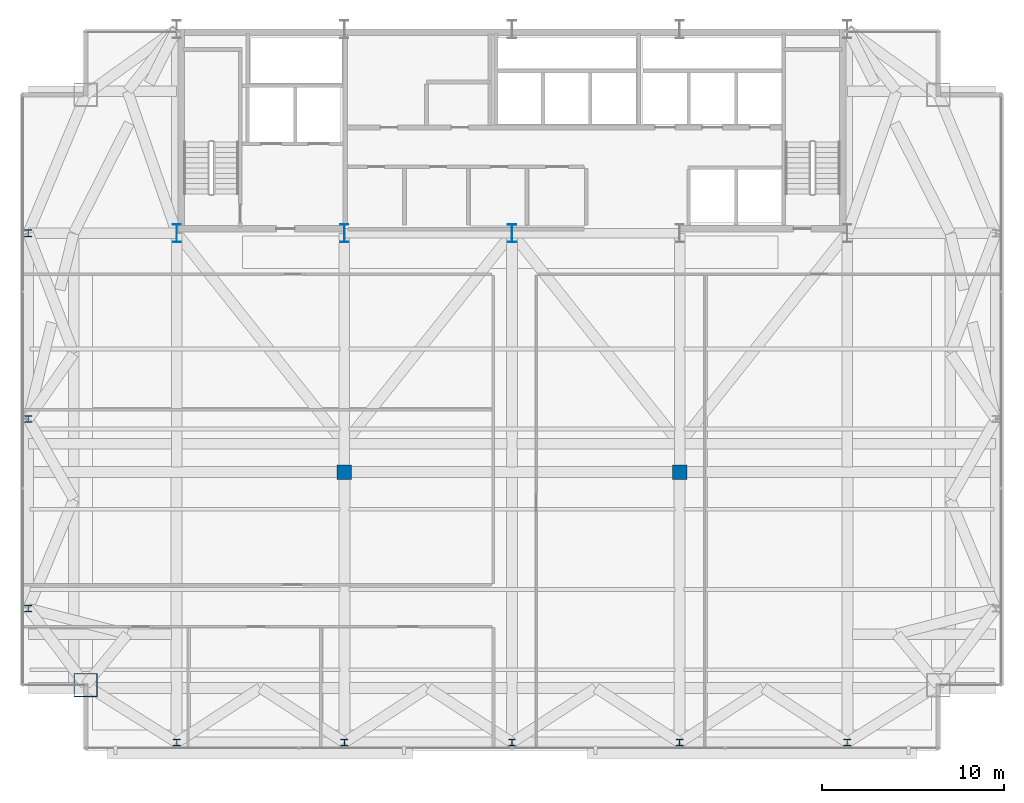
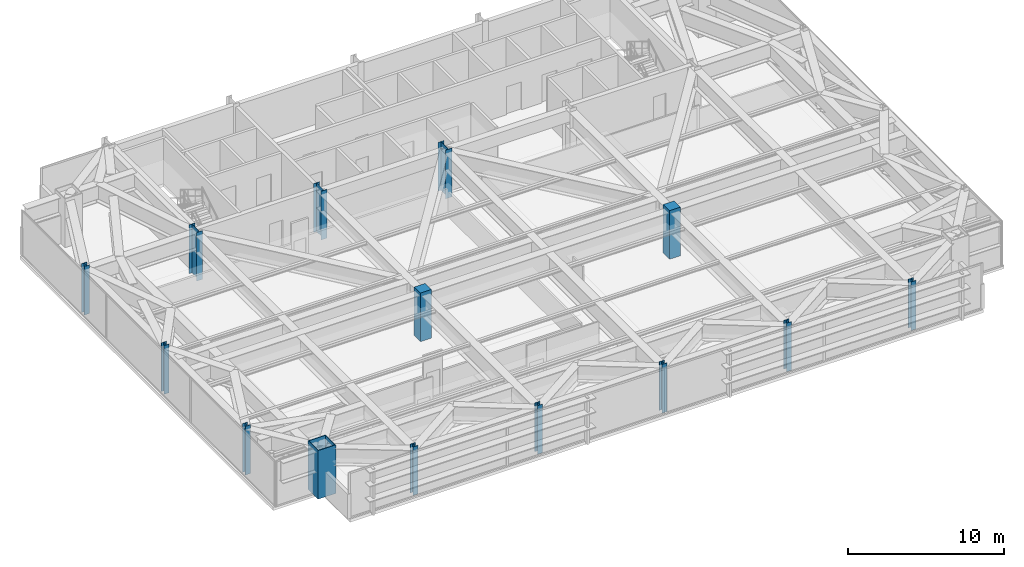
# One storey, part 1 of 26: 14 columns.
"""IFC4 building model written with IfcOpenShell, lengths in metres."""

from ifc_helpers import new_model, si_unit, direction, frame, origin, origin_2d, place, context, subcontext, project, spatial, rectangle, hollow_rectangle, i_section, extrude, source, transform, mapped, material, material_profile, profile_set, type_object, type_shapes, element, save


model = new_model("IFC4")

# Units and contexts
model_context = context("Model", 3, precision=1e-05, world=origin(), true_north=direction((0.0, 1.0)))
body_context = subcontext(model_context, "Body", "Model", "MODEL_VIEW")
ifc_project = project(units=[si_unit("LENGTHUNIT", "METRE"), si_unit("AREAUNIT", "SQUARE_METRE"), si_unit("VOLUMEUNIT", "CUBIC_METRE"), si_unit("PLANEANGLEUNIT", "RADIAN"), si_unit("MASSUNIT", "GRAM", prefix="KILO")], contexts=[model_context])

# Site, building, storey
site_placement = place(None, origin())
site = spatial("IfcSite", under=ifc_project, at=site_placement, CompositionType="ELEMENT")
building_placement = place(site_placement, origin())
building = spatial("IfcBuilding", under=site, at=building_placement, Name="Varnel Quay Broadcast Tower", CompositionType="ELEMENT")
storey_placement = place(building_placement, frame((0.0, 0.0, 196.0)))
storey = spatial("IfcBuildingStorey", under=building, at=storey_placement, Name="L48", CompositionType="ELEMENT", Elevation=196.0)

# Columns
ifc_material_1 = material(Name="Structural Steel CSA G40.21 350WT", Category="steel")
ifc_material_profile_1 = material_profile(ifc_material_1, i_section(OverallWidth=0.449951171875, OverallDepth=1.0, WebThickness=0.01611328125, FlangeThickness=0.030029296875, FilletRadius=0.01611328125, at=origin_2d()), Name="WWF1000X362")
ifc_profile_set_1 = profile_set([ifc_material_profile_1], Name="Structural Steel CSA G40.21 350WT")
column_type_1 = type_object("IfcColumnType", Name="Col_WWF1000X362", PredefinedType="COLUMN", material=ifc_profile_set_1)
shared_shape_1 = source(origin(), body_context, "Body", "SweptSolid", [
    extrude(i_section(OverallWidth=0.449951171875, OverallDepth=1.0, WebThickness=0.01611328125, FlangeThickness=0.030029296875, FilletRadius=0.01611328125, at=origin_2d()), origin(), (0.0, 0.0, 1.0), 3.800048828125),
])
type_shapes(column_type_1, [shared_shape_1])
for number, where, z_axis, x_axis, name in (
    (1, (15.60009765625, 35.60009765625, 0.0), (0.0, 0.0, 1.0), (1.0, 0.0, 0.0), "L48 Column CC-S1"),
    (2, (24.800048828125, 35.60009765625, 0.0), (0.0, 0.0, 1.0), (1.0, 0.0, 0.0), "L48 Column CC-S2"),
    (3, (34.0, 35.60009765625, 0.0), (0.0, 0.0, 1.0), (1.0, 0.0, 0.0), "L48 Column CC-S3"),
):
    element("IfcColumn", number, at=place(storey_placement, frame(where, z_axis=z_axis, x_axis=x_axis)), inside=storey, type_object=column_type_1, Name=name, PredefinedType="COLUMN", context=body_context, shape_type="MappedRepresentation", body=[
        mapped(shared_shape_1, transform((0.0, 0.0, 0.0), x_axis=(1.0, 0.0, 0.0), y_axis=(0.0, 1.0, 0.0), z_axis=(0.0, 0.0, 1.0), scale=1.0)),
    ])
ifc_material_profile_2 = material_profile(ifc_material_1, hollow_rectangle(XDim=1.300048828125, YDim=1.300048828125, WallThickness=0.050048828125, at=origin_2d()), Name="BOX1300X1300X50")
ifc_profile_set_2 = profile_set([ifc_material_profile_2], Name="Structural Steel CSA G40.21 350WT")
column_type_2 = type_object("IfcColumnType", Name="Col_BOX1300X1300X50", PredefinedType="COLUMN", material=ifc_profile_set_2)
shared_shape_2 = source(origin(), body_context, "Body", "SweptSolid", [
    extrude(hollow_rectangle(XDim=1.300048828125, YDim=1.300048828125, WallThickness=0.050048828125, at=origin_2d()), origin(), (0.0, 0.0, 1.0), 3.800048828125),
])
type_shapes(column_type_2, [shared_shape_2])
column_placement = place(storey_placement, frame((10.60009765625, 10.800048828125, 0.0), z_axis=(0.0, 0.0, 1.0), x_axis=(1.0, 0.0, 0.0)))
element("IfcColumn", 4, at=column_placement, inside=storey, type_object=column_type_2, Name="L48 Column MC-SW", PredefinedType="COLUMN", context=body_context, shape_type="MappedRepresentation", body=[
    mapped(shared_shape_2, transform((0.0, 0.0, 0.0), x_axis=(1.0, 0.0, 0.0), y_axis=(0.0, 1.0, 0.0), z_axis=(0.0, 0.0, 1.0), scale=1.0)),
])
ifc_material_2 = material(Name="Structural Steel CSA G40.21 350W", Category="steel")
ifc_material_profile_3 = material_profile(ifc_material_2, i_section(OverallWidth=0.3740234375, OverallDepth=0.3720703125, WebThickness=0.016357421875, FlangeThickness=0.026123046875, FilletRadius=0.01611328125, at=origin_2d()), Name="W360X196")
ifc_profile_set_3 = profile_set([ifc_material_profile_3], Name="Structural Steel CSA G40.21 350W")
column_type_3 = type_object("IfcColumnType", Name="Col_W360X196", PredefinedType="COLUMN", material=ifc_profile_set_3)
shared_shape_3 = source(origin(), body_context, "Body", "SweptSolid", [
    extrude(i_section(OverallWidth=0.3740234375, OverallDepth=0.3720703125, WebThickness=0.016357421875, FlangeThickness=0.026123046875, FilletRadius=0.01611328125, at=origin_2d()), origin(), (0.0, 0.0, 1.0), 3.800048828125),
])
type_shapes(column_type_3, [shared_shape_3])
for number, where, z_axis, x_axis, name in (
    (5, (15.60009765625, 7.64990234375, 0.0), (0.0, 0.0, 1.0), (1.0, 0.0, 0.0), "L48 Column TC-S1"),
    (6, (24.800048828125, 7.64990234375, 0.0), (0.0, 0.0, 1.0), (1.0, 0.0, 0.0), "L48 Column TC-S2"),
    (7, (34.0, 7.64990234375, 0.0), (0.0, 0.0, 1.0), (1.0, 0.0, 0.0), "L48 Column TC-S3"),
    (8, (43.199951171875, 7.64990234375, 0.0), (0.0, 0.0, 1.0), (1.0, 0.0, 0.0), "L48 Column TC-S4"),
    (9, (52.39990234375, 7.64990234375, 0.0), (0.0, 0.0, 1.0), (1.0, 0.0, 0.0), "L48 Column TC-S5"),
    (10, (7.449951171875, 15.0, 0.0), (0.0, 0.0, 1.0), (1.0, 0.0, 0.0), "L48 Column TC-W1"),
    (11, (7.449951171875, 25.39990234375, 0.0), (0.0, 0.0, 1.0), (1.0, 0.0, 0.0), "L48 Column TC-W2"),
    (12, (7.449951171875, 35.60009765625, 0.0), (0.0, 0.0, 1.0), (1.0, 0.0, 0.0), "L48 Column TC-W3"),
):
    element("IfcColumn", number, at=place(storey_placement, frame(where, z_axis=z_axis, x_axis=x_axis)), inside=storey, type_object=column_type_3, Name=name, PredefinedType="COLUMN", context=body_context, shape_type="MappedRepresentation", body=[
        mapped(shared_shape_3, transform((0.0, 0.0, 0.0), x_axis=(1.0, 0.0, 0.0), y_axis=(0.0, 1.0, 0.0), z_axis=(0.0, 0.0, 1.0), scale=1.0)),
    ])
ifc_material_3 = material(Name="Concrete CSA A23.3 C50/60", Category="concrete")
ifc_material_profile_4 = material_profile(ifc_material_3, rectangle(XDim=0.800048828125, YDim=0.800048828125, at=origin_2d()), Name="RC800X800")
ifc_profile_set_4 = profile_set([ifc_material_profile_4], Name="Concrete CSA A23.3 C50/60")
column_type_4 = type_object("IfcColumnType", Name="Col_RC800X800", PredefinedType="COLUMN", material=ifc_profile_set_4)
shared_shape_4 = source(origin(), body_context, "Body", "SweptSolid", [
    extrude(rectangle(XDim=0.800048828125, YDim=0.800048828125, at=origin_2d()), origin(), (0.0, 0.0, 1.0), 3.800048828125),
])
type_shapes(column_type_4, [shared_shape_4])
for number, where, z_axis, x_axis, name in (
    (13, (24.800048828125, 22.489990234375, 0.0), (0.0, 0.0, 1.0), (1.0, 0.0, 0.0), "L48 Column IC-01"),
    (14, (43.199951171875, 22.489990234375, 0.0), (0.0, 0.0, 1.0), (1.0, 0.0, 0.0), "L48 Column IC-02"),
):
    element("IfcColumn", number, at=place(storey_placement, frame(where, z_axis=z_axis, x_axis=x_axis)), inside=storey, type_object=column_type_4, Name=name, PredefinedType="COLUMN", context=body_context, shape_type="MappedRepresentation", body=[
        mapped(shared_shape_4, transform((0.0, 0.0, 0.0), x_axis=(1.0, 0.0, 0.0), y_axis=(0.0, 1.0, 0.0), z_axis=(0.0, 0.0, 1.0), scale=1.0)),
    ])

save(model, "model.ifc")
